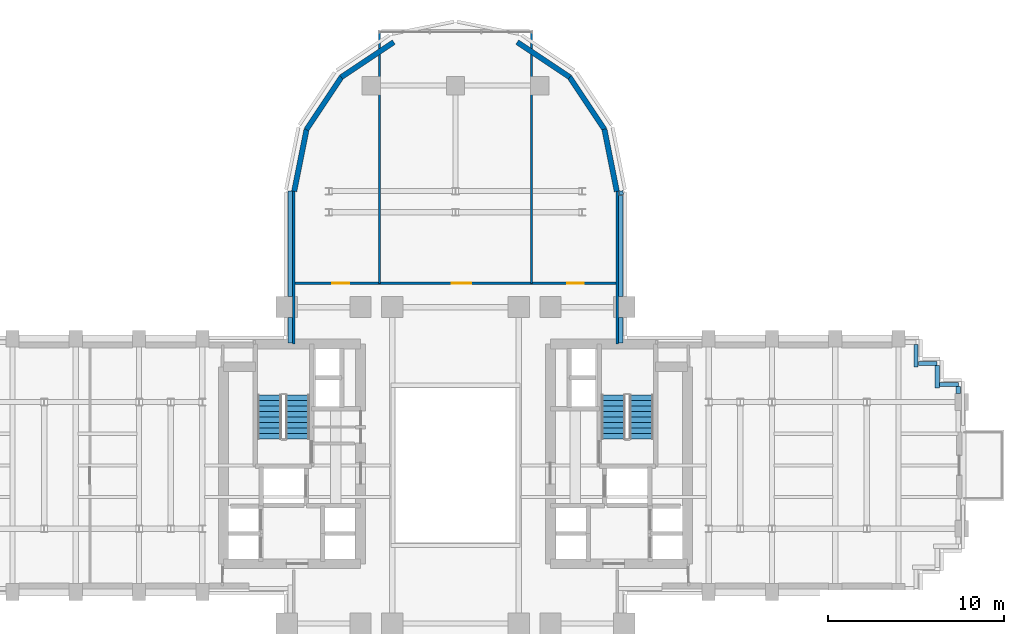
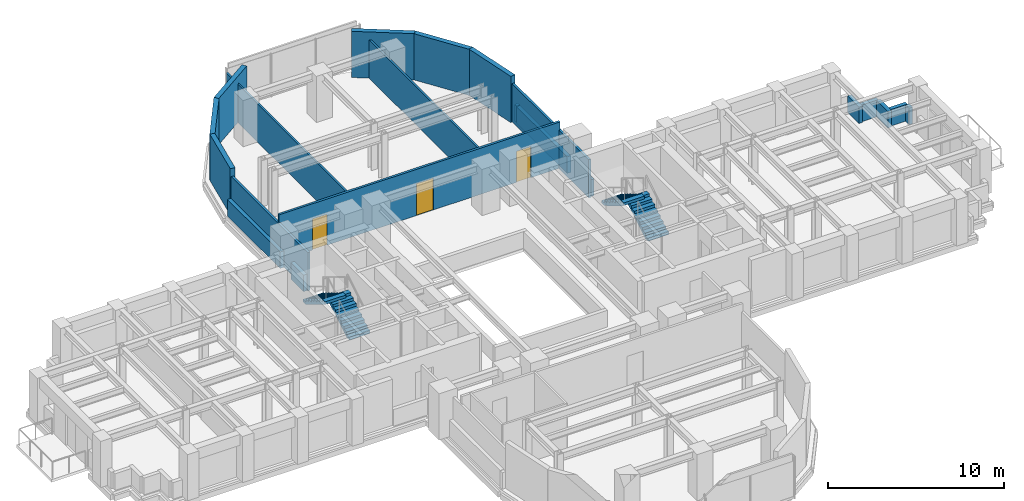
# One storey, part 11 of 14: 21 walls, 4 stair flights, 3 doors, 3 openings, 2 elements without a shape of their own.
"""IFC4 building model written with IfcOpenShell, lengths in metres."""

from ifc_helpers import new_model, si_unit, direction, frame, frame_2d, origin, place, context, subcontext, project, spatial, polyline, rectangle, outline, extrude, source, transform, mapped, material, layer, layer_set, type_object, element, fill, aggregate, save


model = new_model("IFC4")

# Units and contexts
model_context = context("Model", 3, precision=1e-05, world=origin(), true_north=direction((0.0, 1.0)))
body_context = subcontext(model_context, "Body", "Model", "MODEL_VIEW")
ifc_project = project(units=[si_unit("LENGTHUNIT", "METRE"), si_unit("AREAUNIT", "SQUARE_METRE"), si_unit("VOLUMEUNIT", "CUBIC_METRE"), si_unit("PLANEANGLEUNIT", "RADIAN"), si_unit("MASSUNIT", "GRAM", prefix="KILO")], contexts=[model_context])

# Site, building, storey
site_placement = place(None, origin())
site = spatial("IfcSite", under=ifc_project, at=site_placement, CompositionType="ELEMENT")
building_placement = place(site_placement, origin())
building = spatial("IfcBuilding", under=site, at=building_placement, Name="Keilestroom Media Tower", CompositionType="ELEMENT")
storey_placement = place(building_placement, frame((0.0, 0.0, 44.199951171875)))
storey = spatial("IfcBuildingStorey", under=building, at=storey_placement, Name="L10", CompositionType="ELEMENT", Elevation=44.199951171875)

# Walls
ifc_material_1 = material(Name="Precast concrete C40/50", Category="concrete")
ifc_layer_1 = layer(ifc_material_1, 0.300048828125)
ifc_layer_set_1 = layer_set([ifc_layer_1], Name="Precast concrete C40/50")
wall_type_1 = type_object("IfcWallType", Name="Exterior-Masonry-Spandrel-Wall-300", PredefinedType="SOLIDWALL", material=ifc_layer_set_1)
for number, where, z_axis, x_axis, name in (
    (1, (9.1748046875, 15.585205078125, 0.0), (0.0, 0.0, 1.0), (-0.195114232679, 0.980780523974, 0.0), "L10 Lobe Facet Precast Frame Wall 01"),
    (2, (8.48193359375, 19.097412109375, 0.0), (0.0, 0.0, 1.0), (-0.555574187116, 0.831466970246, 0.0), "L10 Lobe Facet Precast Frame Wall 02"),
):
    element("IfcWall", number, at=place(storey_placement, frame(where, z_axis=z_axis, x_axis=x_axis)), inside=storey, type_object=wall_type_1, Name=name, PredefinedType="SOLIDWALL", context=body_context, shape_type="SweptSolid", body=[
        extrude(rectangle(XDim=3.608642578125, YDim=0.300048828125, at=frame_2d((1.80419921875, 0.0))), origin(), (0.0, 0.0, 1.0), 3.199951171875),
    ])
for number, where, z_axis, x_axis, name in (
    (3, (6.497802734375, 22.0771484375, 0.0), (0.0, 0.0, 1.0), (-0.8314749531, 0.555562239868, 0.0), "L10 Lobe Facet Precast Frame Wall 03"),
    (4, (-3.510009765625, 24.073486328125, 0.0), (0.0, 0.0, 1.0), (-0.8314749531, -0.555562239868, 0.0), "L10 Lobe Facet Precast Frame Wall 04"),
):
    element("IfcWall", number, at=place(storey_placement, frame(where, z_axis=z_axis, x_axis=x_axis)), inside=storey, type_object=wall_type_1, Name=name, PredefinedType="SOLIDWALL", context=body_context, shape_type="SweptSolid", body=[
        extrude(rectangle(XDim=3.59326171875, YDim=0.300048828125, at=frame_2d((1.796630859375, 0.0))), origin(), (0.0, 0.0, 1.0), 3.199951171875),
    ])
for number, where, z_axis, x_axis, name in (
    (5, (-6.47705078125, 22.097900390625, 0.0), (0.0, 0.0, 1.0), (-0.555574187116, -0.831466970246, 0.0), "L10 Lobe Facet Precast Frame Wall 05"),
    (6, (-8.470703125, 19.12451171875, 0.0), (0.0, 0.0, 1.0), (-0.195114232679, -0.980780523974, 0.0), "L10 Lobe Facet Precast Frame Wall 06"),
):
    element("IfcWall", number, at=place(storey_placement, frame(where, z_axis=z_axis, x_axis=x_axis)), inside=storey, type_object=wall_type_1, Name=name, PredefinedType="SOLIDWALL", context=body_context, shape_type="SweptSolid", body=[
        extrude(rectangle(XDim=3.608642578125, YDim=0.300048828125, at=frame_2d((1.80419921875, 0.0))), origin(), (0.0, 0.0, 1.0), 3.199951171875),
    ])
ifc_material_2 = material(Name="Gypsum Plasterboard & Steel Stud", Category="steel")
ifc_layer_2 = layer(ifc_material_2, 0.1201171875)
ifc_layer_set_2 = layer_set([ifc_layer_2], Name="Gypsum Plasterboard & Steel Stud")
wall_type_2 = type_object("IfcWallType", Name="Interior-Partition-Wall-120", PredefinedType="PARTITIONING", material=ifc_layer_set_2)
for number, where, z_axis, x_axis, name in (
    (7, (-4.320068359375, 10.35009765625, 0.0), (0.0, 0.0, 1.0), (0.0, 1.0, 0.0), "L10 Interior Wall WP-L10-NL-VW"),
    (8, (4.320068359375, 10.35009765625, 0.0), (0.0, 0.0, 1.0), (0.0, 1.0, 0.0), "L10 Interior Wall WP-L10-NL-VE"),
):
    element("IfcWall", number, at=place(storey_placement, frame(where, z_axis=z_axis, x_axis=x_axis)), inside=storey, type_object=wall_type_2, Name=name, PredefinedType="PARTITIONING", context=body_context, shape_type="SweptSolid", body=[
        extrude(rectangle(XDim=14.2998046875, YDim=0.1201171875, at=frame_2d((7.14990234375, 0.0))), origin(), (0.0, 0.0, 1.0), 2.650146484375),
    ])

# Wall, openings, doors
ifc_layer_3 = layer(ifc_material_2, 0.14990234375)
ifc_layer_set_3 = layer_set([ifc_layer_3], Name="Gypsum Plasterboard & Steel Stud")
wall_type_3 = type_object("IfcWallType", Name="Interior-Partition-Wall-150", PredefinedType="PARTITIONING", material=ifc_layer_set_3)
wall_1_placement = place(storey_placement, frame((-9.199951171875, 10.35009765625, 0.0), z_axis=(0.0, 0.0, 1.0), x_axis=(1.0, 0.0, 0.0)))
wall_1 = element("IfcWall", 9, at=wall_1_placement, inside=storey, type_object=wall_type_3, Name="L10 Interior Wall WP-L10-NL-BASE", PredefinedType="PARTITIONING", context=body_context, shape_type="SweptSolid", body=[
    extrude(rectangle(XDim=18.39990234375, YDim=0.14990234375, at=frame_2d((9.199951171875, 0.0))), origin(), (0.0, 0.0, 1.0), 3.199951171875),
])
opening_1_placement = place(wall_1_placement, frame((2.199951171875, 0.0, 0.0)))
opening_1 = element("IfcOpeningElement", 10, at=opening_1_placement, cuts=wall_1, Name="Opening DI-03", PredefinedType="OPENING", context=body_context, shape_type="SweptSolid", body=[
    extrude(rectangle(XDim=0.949951171875, YDim=2.14990234375, at=frame_2d((0.47509765625, 1.074951171875))), frame((0.0, 0.0849609375, 0.0), z_axis=(0.0, -1.0, 0.0), x_axis=(1.0, 0.0, 0.0)), (0.0, 0.0, 1.0), 0.169921875),
])
opening_2_placement = place(wall_1_placement, frame((9.0, 0.0, 0.0)))
opening_2 = element("IfcOpeningElement", 11, at=opening_2_placement, cuts=wall_1, Name="Opening DI-04", PredefinedType="OPENING", context=body_context, shape_type="SweptSolid", body=[
    extrude(rectangle(XDim=1.10009765625, YDim=2.199951171875, at=frame_2d((0.550048828125, 1.10009765625))), frame((0.0, 0.0849609375, 0.0), z_axis=(0.0, -1.0, 0.0), x_axis=(1.0, 0.0, 0.0)), (0.0, 0.0, 1.0), 0.169921875),
])
opening_3_placement = place(wall_1_placement, frame((15.550048828125, 0.0, 0.0)))
opening_3 = element("IfcOpeningElement", 12, at=opening_3_placement, cuts=wall_1, Name="Opening DI-03", PredefinedType="OPENING", context=body_context, shape_type="SweptSolid", body=[
    extrude(rectangle(XDim=0.949951171875, YDim=2.14990234375, at=frame_2d((0.47509765625, 1.074951171875))), frame((0.0, 0.0849609375, 0.0), z_axis=(0.0, -1.0, 0.0), x_axis=(1.0, 0.0, 0.0)), (0.0, 0.0, 1.0), 0.169921875),
])
ifc_material_3 = material(Name="Lacquered European Oak Leaf", Category="wood")
door_type_1 = type_object("IfcDoorType", Name="Interior-Room-And-Suite-Door-DI-03", OperationType="NOTDEFINED", PredefinedType="DOOR", material=ifc_material_3)
shared_shape_1 = source(origin(), body_context, "Body", "SweptSolid", [
    extrude(rectangle(XDim=0.949951171875, YDim=2.14990234375, at=frame_2d((0.47509765625, 1.074951171875))), frame((0.0, 0.02490234375, 0.0), z_axis=(0.0, -1.0, 0.0), x_axis=(1.0, 0.0, 0.0)), (0.0, 0.0, 1.0), 0.050048828125),
])
door_1_placement = place(opening_1_placement, origin())
door_1 = element("IfcDoor", 13, at=door_1_placement, inside=storey, type_object=door_type_1, Name="L10 Interior Door DI-L10-DNL-W", OperationType="SINGLE_SWING_LEFT", OverallHeight=2.14990234375, OverallWidth=0.949951171875, PredefinedType="DOOR", context=body_context, shape_type="MappedRepresentation", body=[
    mapped(shared_shape_1, transform((0.0, 0.0, 0.0), x_axis=(1.0, 0.0, 0.0), y_axis=(0.0, 1.0, 0.0), z_axis=(0.0, 0.0, 1.0), scale=1.0)),
])
fill(opening_1, door_1)
door_2_placement = place(opening_3_placement, origin())
door_2 = element("IfcDoor", 14, at=door_2_placement, inside=storey, type_object=door_type_1, Name="L10 Interior Door DI-L10-DNL-E", OperationType="SINGLE_SWING_LEFT", OverallHeight=2.14990234375, OverallWidth=0.949951171875, PredefinedType="DOOR", context=body_context, shape_type="MappedRepresentation", body=[
    mapped(shared_shape_1, transform((0.0, 0.0, 0.0), x_axis=(1.0, 0.0, 0.0), y_axis=(0.0, 1.0, 0.0), z_axis=(0.0, 0.0, 1.0), scale=1.0)),
])
fill(opening_3, door_2)
ifc_material_4 = material(Name="Acoustic Glazed Aluminium Leaf", Category="aluminium")
door_type_2 = type_object("IfcDoorType", Name="Interior-Room-And-Suite-Door-DI-04", OperationType="NOTDEFINED", PredefinedType="DOOR", material=ifc_material_4)
shared_shape_2 = source(origin(), body_context, "Body", "SweptSolid", [
    extrude(rectangle(XDim=1.10009765625, YDim=2.199951171875, at=frame_2d((0.550048828125, 1.10009765625))), frame((0.0, 0.02490234375, 0.0), z_axis=(0.0, -1.0, 0.0), x_axis=(1.0, 0.0, 0.0)), (0.0, 0.0, 1.0), 0.050048828125),
])
door_3_placement = place(opening_2_placement, origin())
door_3 = element("IfcDoor", 15, at=door_3_placement, inside=storey, type_object=door_type_2, Name="L10 Interior Door DI-L10-DNL-C", OperationType="SINGLE_SWING_RIGHT", OverallHeight=2.199951171875, OverallWidth=1.10009765625, PredefinedType="DOOR", context=body_context, shape_type="MappedRepresentation", body=[
    mapped(shared_shape_2, transform((0.0, 0.0, 0.0), x_axis=(1.0, 0.0, 0.0), y_axis=(0.0, 1.0, 0.0), z_axis=(0.0, 0.0, 1.0), scale=1.0)),
])
fill(opening_2, door_3)

# Walls
for number, where, z_axis, x_axis, name in (
    (16, (-9.199951171875, 6.89990234375, 0.0), (0.0, 0.0, 1.0), (0.0, 1.0, 0.0), "L10 Interior Wall WP-L10-NL-CHKW"),
    (17, (9.199951171875, 6.89990234375, 0.0), (0.0, 0.0, 1.0), (0.0, 1.0, 0.0), "L10 Interior Wall WP-L10-NL-CHKE"),
):
    element("IfcWall", number, at=place(storey_placement, frame(where, z_axis=z_axis, x_axis=x_axis)), inside=storey, type_object=wall_type_3, Name=name, PredefinedType="PARTITIONING", context=body_context, shape_type="SweptSolid", body=[
        extrude(rectangle(XDim=8.780029296875, YDim=0.14990234375, at=frame_2d((4.39013671875, 0.0))), origin(), (0.0, 0.0, 1.0), 2.650146484375),
    ])
ifc_layer_4 = layer(ifc_material_1, 0.239990234375)
ifc_layer_set_4 = layer_set([ifc_layer_4], Name="Precast concrete C40/50")
wall_type_4 = type_object("IfcWallType", Name="Roof-And-Terrace-Parapet-Wall-240", PredefinedType="PARAPET", material=ifc_layer_set_4)
wall_2_placement = place(storey_placement, frame((-9.39990234375, 6.952880859375, 0.0), z_axis=(0.0, 0.0, 1.0), x_axis=(0.0, 1.0, 0.0)))
element("IfcWall", 18, at=wall_2_placement, inside=storey, type_object=wall_type_4, Name="L10 Perimeter Edge Parapet Wall 28", PredefinedType="PARAPET", context=body_context, shape_type="SweptSolid", body=[
    extrude(rectangle(XDim=1.444091796875, YDim=0.239990234375, at=frame_2d((0.72216796875, 0.0))), origin(), (0.0, 0.0, 1.0), 1.150146484375),
])
wall_3_placement = place(storey_placement, frame((-9.39990234375, 9.60302734375, 0.0), z_axis=(0.0, 0.0, 1.0), x_axis=(0.0, 1.0, 0.0)))
element("IfcWall", 19, at=wall_3_placement, inside=storey, type_object=wall_type_4, Name="L10 Perimeter Edge Parapet Wall 29", PredefinedType="PARAPET", context=body_context, shape_type="SweptSolid", body=[
    extrude(rectangle(XDim=5.999755859375, YDim=0.239990234375, at=frame_2d((3.0, 0.0))), origin(), (0.0, 0.0, 1.0), 1.150146484375),
])
wall_4_placement = place(storey_placement, frame((9.395263671875, 15.604248046875, 0.0), z_axis=(0.0, 0.0, 1.0), x_axis=(0.194652052864, -0.980872355771, 0.0)))
element("IfcWall", 20, at=wall_4_placement, inside=storey, type_object=wall_type_4, Name="L10 Perimeter Edge Parapet Wall 30", PredefinedType="PARAPET", context=body_context, shape_type="SweptSolid", body=[
    extrude(rectangle(XDim=0.224609375, YDim=0.239990234375, at=frame_2d((0.1123046875, 0.0))), origin(), (0.0, 0.0, 1.0), 1.150146484375),
])
wall_5_placement = place(storey_placement, frame((9.39990234375, 15.357666015625, 0.0), z_axis=(0.0, 0.0, 1.0), x_axis=(0.0, -1.0, 0.0)))
element("IfcWall", 21, at=wall_5_placement, inside=storey, type_object=wall_type_4, Name="L10 Perimeter Edge Parapet Wall 31", PredefinedType="PARAPET", context=body_context, shape_type="SweptSolid", body=[
    extrude(rectangle(XDim=5.754638671875, YDim=0.239990234375, at=frame_2d((2.87744140625, 0.0))), origin(), (0.0, 0.0, 1.0), 1.150146484375),
])
wall_6_placement = place(storey_placement, frame((9.39990234375, 8.39697265625, 0.0), z_axis=(0.0, 0.0, 1.0), x_axis=(0.0, -1.0, 0.0)))
element("IfcWall", 22, at=wall_6_placement, inside=storey, type_object=wall_type_4, Name="L10 Perimeter Edge Parapet Wall 32", PredefinedType="PARAPET", context=body_context, shape_type="SweptSolid", body=[
    extrude(rectangle(XDim=1.444091796875, YDim=0.239990234375, at=frame_2d((0.72216796875, 0.0))), origin(), (0.0, 0.0, 1.0), 1.150146484375),
])
wall_7_placement = place(storey_placement, frame((26.199951171875, 6.876953125, 0.0), z_axis=(0.0, 0.0, 1.0), x_axis=(0.0, -1.0, 0.0)))
element("IfcWall", 23, at=wall_7_placement, inside=storey, type_object=wall_type_4, Name="L10 Perimeter Edge Parapet Wall 35", PredefinedType="PARAPET", context=body_context, shape_type="SweptSolid", body=[
    extrude(rectangle(XDim=1.27685546875, YDim=0.239990234375, at=frame_2d((0.638427734375, 0.0))), origin(), (0.0, 0.0, 1.0), 1.150146484375),
])
wall_8_placement = place(storey_placement, frame((26.322998046875, 5.800048828125, 0.0), z_axis=(0.0, 0.0, 1.0), x_axis=(1.0, 0.0, 0.0)))
element("IfcWall", 24, at=wall_8_placement, inside=storey, type_object=wall_type_4, Name="L10 Perimeter Edge Parapet Wall 36", PredefinedType="PARAPET", context=body_context, shape_type="SweptSolid", body=[
    extrude(rectangle(XDim=1.076904296875, YDim=0.239990234375, at=frame_2d((0.53857421875, 0.0))), origin(), (0.0, 0.0, 1.0), 1.150146484375),
])
wall_9_placement = place(storey_placement, frame((27.39990234375, 5.677001953125, 0.0), z_axis=(0.0, 0.0, 1.0), x_axis=(0.0, -1.0, 0.0)))
element("IfcWall", 25, at=wall_9_placement, inside=storey, type_object=wall_type_4, Name="L10 Perimeter Edge Parapet Wall 37", PredefinedType="PARAPET", context=body_context, shape_type="SweptSolid", body=[
    extrude(rectangle(XDim=1.277099609375, YDim=0.239990234375, at=frame_2d((0.638671875, 0.0))), origin(), (0.0, 0.0, 1.0), 1.150146484375),
])
wall_10_placement = place(storey_placement, frame((27.52294921875, 4.60009765625, 0.0), z_axis=(0.0, 0.0, 1.0), x_axis=(1.0, 0.0, 0.0)))
element("IfcWall", 26, at=wall_10_placement, inside=storey, type_object=wall_type_4, Name="L10 Perimeter Edge Parapet Wall 38", PredefinedType="PARAPET", context=body_context, shape_type="SweptSolid", body=[
    extrude(rectangle(XDim=1.0771484375, YDim=0.239990234375, at=frame_2d((0.53857421875, 0.0))), origin(), (0.0, 0.0, 1.0), 1.150146484375),
])
wall_11_placement = place(storey_placement, frame((28.60009765625, 4.47705078125, 0.0), z_axis=(0.0, 0.0, 1.0), x_axis=(0.0, -1.0, 0.0)))
element("IfcWall", 27, at=wall_11_placement, inside=storey, type_object=wall_type_4, Name="L10 Perimeter Edge Parapet Wall 39", PredefinedType="PARAPET", context=body_context, shape_type="SweptSolid", body=[
    extrude(rectangle(XDim=0.399169921875, YDim=0.239990234375, at=frame_2d((0.19970703125, 0.0))), origin(), (0.0, 0.0, 1.0), 1.150146484375),
])

# Stair, stair flights
ifc_material_5 = material(Name="Concrete C45/55", Category="concrete")
stair_type = type_object("IfcStairType", Name="Enclosed-Dog-Leg-Stair-ST-CORE", PredefinedType="HALF_TURN_STAIR", material=ifc_material_5)
stair_1_placement = place(storey_placement, origin())
stair_1 = element("IfcStair", 28, at=stair_1_placement, inside=storey, type_object=stair_type, Name="L10 West Core Escape Stair ST-1", PredefinedType="HALF_TURN_STAIR")
stair_flight_type = type_object("IfcStairFlightType", Name="Precast-Concrete-Stair-Flight-Core-160", PredefinedType="STRAIGHT", material=ifc_material_1)
stair_flight_1_placement = place(storey_placement, frame((-8.97998046875, 1.5, 0.0), z_axis=(0.0, 0.0, 1.0), x_axis=(0.0, 1.0, 0.0)))
stair_flight_1 = element("IfcStairFlight", 29, at=stair_flight_1_placement, type_object=stair_flight_type, Name="ST-1 flight 1", NumberOfRisers=9, NumberOfTreads=8, PredefinedType="STRAIGHT", RiserHeight=0.188888889, TreadLength=0.312, context=body_context, shape_type="SweptSolid", body=[
    extrude(outline(polyline([(0.0, 0.0), (0.0, 0.18896484375), (0.31201171875, 0.18896484375), (0.31201171875, 0.377685546875), (0.6240234375, 0.377685546875), (0.6240234375, 0.566650390625), (0.93603515625, 0.566650390625), (0.93603515625, 0.755615234375), (1.248046875, 0.755615234375), (1.248046875, 0.9443359375), (1.56005859375, 0.9443359375), (1.56005859375, 1.13330078125), (1.8720703125, 1.13330078125), (1.8720703125, 1.322265625), (2.18408203125, 1.322265625), (2.18408203125, 1.51123046875), (2.49609375, 1.51123046875), (2.49609375, 1.699951171875), (2.49609375, 1.32421875), (0.308837890625, 0.0), (0.0, 0.0)])), frame((0.0, 0.68017578125, 0.0), z_axis=(0.0, -1.0, 0.0), x_axis=(1.0, 0.0, 0.0)), (0.0, 0.0, 1.0), 1.360107421875),
])
stair_flight_2_placement = place(storey_placement, frame((-10.580078125, 3.99609375, 1.699951171875), z_axis=(0.0, 0.0, 1.0), x_axis=(0.0, -1.0, 0.0)))
stair_flight_2 = element("IfcStairFlight", 30, at=stair_flight_2_placement, type_object=stair_flight_type, Name="ST-1 flight 2", NumberOfRisers=9, NumberOfTreads=8, PredefinedType="STRAIGHT", RiserHeight=0.188888889, TreadLength=0.312, context=body_context, shape_type="SweptSolid", body=[
    extrude(outline(polyline([(0.0, 0.0), (0.0, 0.18896484375), (0.31201171875, 0.18896484375), (0.31201171875, 0.377685546875), (0.6240234375, 0.377685546875), (0.6240234375, 0.566650390625), (0.93603515625, 0.566650390625), (0.93603515625, 0.755615234375), (1.248046875, 0.755615234375), (1.248046875, 0.9443359375), (1.56005859375, 0.9443359375), (1.56005859375, 1.13330078125), (1.8720703125, 1.13330078125), (1.8720703125, 1.322265625), (2.18408203125, 1.322265625), (2.18408203125, 1.51123046875), (2.49609375, 1.51123046875), (2.49609375, 1.699951171875), (2.49609375, 1.32421875), (0.308837890625, 0.0), (0.0, 0.0)])), frame((0.0, 0.68017578125, 0.0), z_axis=(0.0, -1.0, 0.0), x_axis=(1.0, 0.0, 0.0)), (0.0, 0.0, 1.0), 1.360107421875),
])
aggregate(stair_1, [stair_flight_1, stair_flight_2])

stair_2_placement = place(storey_placement, origin())
stair_2 = element("IfcStair", 31, at=stair_2_placement, inside=storey, type_object=stair_type, Name="L10 East Core Escape Stair ST-2", PredefinedType="HALF_TURN_STAIR")
stair_flight_3_placement = place(storey_placement, frame((10.580078125, 1.5, 0.0), z_axis=(0.0, 0.0, 1.0), x_axis=(0.0, 1.0, 0.0)))
stair_flight_3 = element("IfcStairFlight", 32, at=stair_flight_3_placement, type_object=stair_flight_type, Name="ST-2 flight 1", NumberOfRisers=9, NumberOfTreads=8, PredefinedType="STRAIGHT", RiserHeight=0.188888889, TreadLength=0.312, context=body_context, shape_type="SweptSolid", body=[
    extrude(outline(polyline([(0.0, 0.0), (0.0, 0.18896484375), (0.31201171875, 0.18896484375), (0.31201171875, 0.377685546875), (0.6240234375, 0.377685546875), (0.6240234375, 0.566650390625), (0.93603515625, 0.566650390625), (0.93603515625, 0.755615234375), (1.248046875, 0.755615234375), (1.248046875, 0.9443359375), (1.56005859375, 0.9443359375), (1.56005859375, 1.13330078125), (1.8720703125, 1.13330078125), (1.8720703125, 1.322265625), (2.18408203125, 1.322265625), (2.18408203125, 1.51123046875), (2.49609375, 1.51123046875), (2.49609375, 1.699951171875), (2.49609375, 1.32421875), (0.308837890625, 0.0), (0.0, 0.0)])), frame((0.0, 0.68017578125, 0.0), z_axis=(0.0, -1.0, 0.0), x_axis=(1.0, 0.0, 0.0)), (0.0, 0.0, 1.0), 1.360107421875),
])
stair_flight_4_placement = place(storey_placement, frame((8.97998046875, 3.99609375, 1.699951171875), z_axis=(0.0, 0.0, 1.0), x_axis=(0.0, -1.0, 0.0)))
stair_flight_4 = element("IfcStairFlight", 33, at=stair_flight_4_placement, type_object=stair_flight_type, Name="ST-2 flight 2", NumberOfRisers=9, NumberOfTreads=8, PredefinedType="STRAIGHT", RiserHeight=0.188888889, TreadLength=0.312, context=body_context, shape_type="SweptSolid", body=[
    extrude(outline(polyline([(0.0, 0.0), (0.0, 0.18896484375), (0.31201171875, 0.18896484375), (0.31201171875, 0.377685546875), (0.6240234375, 0.377685546875), (0.6240234375, 0.566650390625), (0.93603515625, 0.566650390625), (0.93603515625, 0.755615234375), (1.248046875, 0.755615234375), (1.248046875, 0.9443359375), (1.56005859375, 0.9443359375), (1.56005859375, 1.13330078125), (1.8720703125, 1.13330078125), (1.8720703125, 1.322265625), (2.18408203125, 1.322265625), (2.18408203125, 1.51123046875), (2.49609375, 1.51123046875), (2.49609375, 1.699951171875), (2.49609375, 1.32421875), (0.308837890625, 0.0), (0.0, 0.0)])), frame((0.0, 0.68017578125, 0.0), z_axis=(0.0, -1.0, 0.0), x_axis=(1.0, 0.0, 0.0)), (0.0, 0.0, 1.0), 1.360107421875),
])
aggregate(stair_2, [stair_flight_3, stair_flight_4])

save(model, "model.ifc")
